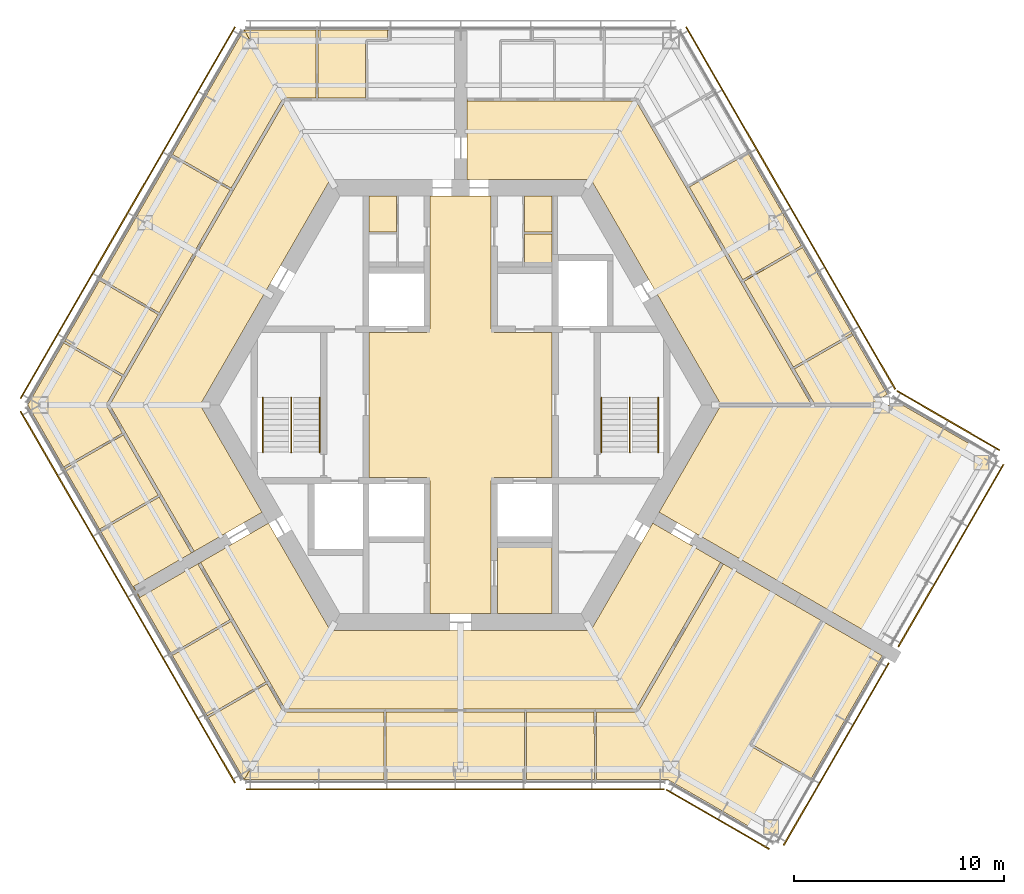
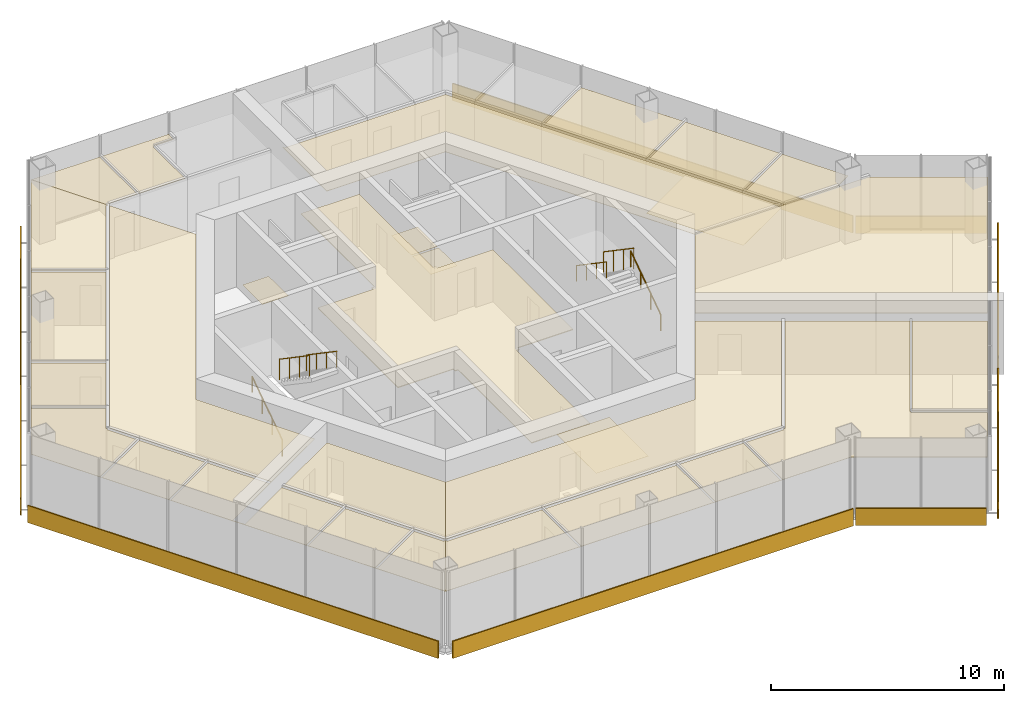
# One storey, part 12 of 13: 30 coverings, 8 shading devices, 6 railings.
"""IFC4 building model written with IfcOpenShell, lengths in metres."""

from ifc_helpers import new_model, si_unit, direction, frame, origin, origin_2d, place, context, subcontext, project, spatial, polyline, rectangle, circle, outline, extrude, material, layer, layer_set, type_object, element, save


model = new_model("IFC4")

# Units and contexts
model_context = context("Model", 3, precision=1e-05, world=origin(), true_north=direction((0.0, 1.0)))
body_context = subcontext(model_context, "Body", "Model", "MODEL_VIEW")
ifc_project = project(units=[si_unit("LENGTHUNIT", "METRE"), si_unit("AREAUNIT", "SQUARE_METRE"), si_unit("VOLUMEUNIT", "CUBIC_METRE"), si_unit("PLANEANGLEUNIT", "RADIAN"), si_unit("MASSUNIT", "GRAM", prefix="KILO")], contexts=[model_context])

# Site, building, storey
site_placement = place(None, origin())
site = spatial("IfcSite", under=ifc_project, at=site_placement, CompositionType="ELEMENT")
building_placement = place(site_placement, origin())
building = spatial("IfcBuilding", under=site, at=building_placement, Name="Kasaneha Research Tower", CompositionType="ELEMENT")
storey_placement = place(building_placement, frame((0.0, 0.0, 294.699951171875)))
storey = spatial("IfcBuildingStorey", under=building, at=storey_placement, Name="L74", CompositionType="ELEMENT", Elevation=294.699951171875)

# Covering
ifc_material_1 = material(Name="Aluminium panel ceiling", Category="aluminium")
ifc_layer_1 = layer(ifc_material_1, 0.0400390625)
ifc_layer_set_1 = layer_set([ifc_layer_1], Name="Lift lobby ceiling 40")
covering_type_1 = type_object("IfcCoveringType", Name="Lift lobby ceiling 40", PredefinedType="CEILING", material=ifc_layer_set_1)
covering_1_placement = place(storey_placement, frame((0.0, 0.0, 2.699951171875)))
element("IfcCovering", 1, at=covering_1_placement, inside=storey, type_object=covering_type_1, Name="Ceiling L74-01", PredefinedType="CEILING", context=body_context, shape_type="SweptSolid", body=[
    extrude(outline(polyline([(1.449951171875, 9.925048828125), (1.449951171875, 3.60009765625), (1.60009765625, 3.60009765625), (1.60009765625, 3.449951171875), (4.35009765625, 3.449951171875), (4.35009765625, -3.449951171875), (1.60009765625, -3.449951171875), (1.60009765625, -3.60009765625), (1.449951171875, -3.60009765625), (1.449951171875, -9.925048828125), (-1.449951171875, -9.925048828125), (-1.449951171875, -3.60009765625), (-1.60009765625, -3.60009765625), (-1.60009765625, -3.449951171875), (-4.35009765625, -3.449951171875), (-4.35009765625, 3.449951171875), (-1.60009765625, 3.449951171875), (-1.60009765625, 3.60009765625), (-1.449951171875, 3.60009765625), (-1.449951171875, 9.925048828125), (1.449951171875, 9.925048828125)])), origin(), (0.0, 0.0, 1.0), 0.0400390625),
])

# Railings
ifc_material_2 = material(Name="Steel", Category="steel")
railing_type_1 = type_object("IfcRailingType", Name="Stair balustrade 1100", PredefinedType="GUARDRAIL", material=ifc_material_2)
for number, where, name in (
    (2, (8.050048828125, 0.35009765625, 2.12744140625), "Stair 1 balustrade L74"),
    (3, (-8.050048828125, 0.35009765625, 2.12744140625), "Stair 2 balustrade L74"),
):
    element("IfcRailing", number, at=place(storey_placement, frame(where)), inside=storey, type_object=railing_type_1, Name=name, PredefinedType="GUARDRAIL", context=body_context, shape_type="SweptSolid", body=[
        extrude(circle(Radius=0.02392578125, at=origin_2d()), frame((0.0, 0.0, 1.076171875), z_axis=(0.0, -0.826240473404, 0.563317565952), x_axis=(1.0, 0.0, 0.0)), (0.0, 0.0, 1.0), 3.14697265625),
        extrude(circle(Radius=0.02099609375, at=origin_2d()), origin(), (0.0, 0.0, 1.0), 1.052001953125),
        extrude(circle(Radius=0.02099609375, at=origin_2d()), frame((0.0, -0.86669921875, 0.5908203125)), (0.0, 0.0, 1.0), 1.052001953125),
        extrude(circle(Radius=0.02099609375, at=origin_2d()), frame((0.0, -1.7333984375, 1.181884765625)), (0.0, 0.0, 1.0), 1.052001953125),
        extrude(circle(Radius=0.02099609375, at=origin_2d()), frame((0.0, -2.60009765625, 1.772705078125)), (0.0, 0.0, 1.0), 1.052001953125),
    ])
ifc_material_3 = material(Name="Steel", Category="steel")
railing_type_2 = type_object("IfcRailingType", Name="Stair handrail 850", PredefinedType="HANDRAIL", material=ifc_material_3)
railing_1_placement = place(storey_placement, frame((9.39990234375, -2.25, 0.17724609375)))
element("IfcRailing", 4, at=railing_1_placement, inside=storey, type_object=railing_type_2, Name="Stair 1 handrail L74", PredefinedType="HANDRAIL", context=body_context, shape_type="SweptSolid", body=[
    extrude(circle(Radius=0.02392578125, at=origin_2d()), frame((0.0, 0.0, 0.826171875), z_axis=(0.0, 0.826240473404, 0.563317565952), x_axis=(-1.0, 0.0, 0.0)), (0.0, 0.0, 1.0), 3.14697265625),
    extrude(circle(Radius=0.02099609375, at=origin_2d()), origin(), (0.0, 0.0, 1.0), 0.802001953125),
    extrude(circle(Radius=0.02099609375, at=origin_2d()), frame((0.0, 0.86669921875, 0.5908203125)), (0.0, 0.0, 1.0), 0.802001953125),
    extrude(circle(Radius=0.02099609375, at=origin_2d()), frame((0.0, 1.7333984375, 1.181884765625)), (0.0, 0.0, 1.0), 0.802001953125),
    extrude(circle(Radius=0.02099609375, at=origin_2d()), frame((0.0, 2.60009765625, 1.772705078125)), (0.0, 0.0, 1.0), 0.802001953125),
])
railing_2_placement = place(storey_placement, frame((6.699951171875, 0.35009765625, 2.12744140625)))
element("IfcRailing", 5, at=railing_2_placement, inside=storey, type_object=railing_type_2, Name="Stair 1 handrail L74", PredefinedType="HANDRAIL", context=body_context, shape_type="SweptSolid", body=[
    extrude(circle(Radius=0.02392578125, at=origin_2d()), frame((0.0, 0.0, 0.826171875), z_axis=(0.0, -0.826240473404, 0.563317565952), x_axis=(1.0, 0.0, 0.0)), (0.0, 0.0, 1.0), 3.14697265625),
    extrude(circle(Radius=0.02099609375, at=origin_2d()), origin(), (0.0, 0.0, 1.0), 0.802001953125),
    extrude(circle(Radius=0.02099609375, at=origin_2d()), frame((0.0, -0.86669921875, 0.5908203125)), (0.0, 0.0, 1.0), 0.802001953125),
    extrude(circle(Radius=0.02099609375, at=origin_2d()), frame((0.0, -1.7333984375, 1.181884765625)), (0.0, 0.0, 1.0), 0.802001953125),
    extrude(circle(Radius=0.02099609375, at=origin_2d()), frame((0.0, -2.60009765625, 1.772705078125)), (0.0, 0.0, 1.0), 0.802001953125),
])
railing_3_placement = place(storey_placement, frame((-9.39990234375, -2.25, 0.17724609375)))
element("IfcRailing", 6, at=railing_3_placement, inside=storey, type_object=railing_type_2, Name="Stair 2 handrail L74", PredefinedType="HANDRAIL", context=body_context, shape_type="SweptSolid", body=[
    extrude(circle(Radius=0.02392578125, at=origin_2d()), frame((0.0, 0.0, 0.826171875), z_axis=(0.0, 0.826240473404, 0.563317565952), x_axis=(-1.0, 0.0, 0.0)), (0.0, 0.0, 1.0), 3.14697265625),
    extrude(circle(Radius=0.02099609375, at=origin_2d()), origin(), (0.0, 0.0, 1.0), 0.802001953125),
    extrude(circle(Radius=0.02099609375, at=origin_2d()), frame((0.0, 0.86669921875, 0.5908203125)), (0.0, 0.0, 1.0), 0.802001953125),
    extrude(circle(Radius=0.02099609375, at=origin_2d()), frame((0.0, 1.7333984375, 1.181884765625)), (0.0, 0.0, 1.0), 0.802001953125),
    extrude(circle(Radius=0.02099609375, at=origin_2d()), frame((0.0, 2.60009765625, 1.772705078125)), (0.0, 0.0, 1.0), 0.802001953125),
])
railing_4_placement = place(storey_placement, frame((-6.699951171875, 0.35009765625, 2.12744140625)))
element("IfcRailing", 7, at=railing_4_placement, inside=storey, type_object=railing_type_2, Name="Stair 2 handrail L74", PredefinedType="HANDRAIL", context=body_context, shape_type="SweptSolid", body=[
    extrude(circle(Radius=0.02392578125, at=origin_2d()), frame((0.0, 0.0, 0.826171875), z_axis=(0.0, -0.826240473404, 0.563317565952), x_axis=(1.0, 0.0, 0.0)), (0.0, 0.0, 1.0), 3.14697265625),
    extrude(circle(Radius=0.02099609375, at=origin_2d()), origin(), (0.0, 0.0, 1.0), 0.802001953125),
    extrude(circle(Radius=0.02099609375, at=origin_2d()), frame((0.0, -0.86669921875, 0.5908203125)), (0.0, 0.0, 1.0), 0.802001953125),
    extrude(circle(Radius=0.02099609375, at=origin_2d()), frame((0.0, -1.7333984375, 1.181884765625)), (0.0, 0.0, 1.0), 0.802001953125),
    extrude(circle(Radius=0.02099609375, at=origin_2d()), frame((0.0, -2.60009765625, 1.772705078125)), (0.0, 0.0, 1.0), 0.802001953125),
])

# Coverings
ifc_material_4 = material(Name="Gypsum ceiling board", Category="gypsum")
ifc_layer_2 = layer(ifc_material_4, 0.02001953125)
ifc_layer_set_2 = layer_set([ifc_layer_2], Name="Suspended ceiling 20")
covering_type_2 = type_object("IfcCoveringType", Name="Suspended ceiling 20", PredefinedType="CEILING", material=ifc_layer_set_2)
covering_2_placement = place(storey_placement, frame((0.0, 0.0, 2.800048828125)))
element("IfcCovering", 8, at=covering_2_placement, inside=storey, type_object=covering_type_2, Name="Ceiling L74-27", PredefinedType="CEILING", context=body_context, shape_type="SweptSolid", body=[
    extrude(outline(polyline([(6.192138671875, 10.72509765625), (0.300048828125, 10.72509765625), (0.300048828125, 11.72509765625), (0.300048828125, 12.72509765625), (0.300048828125, 14.52490234375), (0.320068359375, 14.52490234375), (0.320068359375, 14.449951171875), (1.89501953125, 14.449951171875), (1.905029296875, 14.449951171875), (4.4599609375, 14.449951171875), (4.469970703125, 14.449951171875), (6.825927734375, 14.449951171875), (6.8359375, 14.449951171875), (8.3427734375, 14.449951171875), (9.053955078125, 13.21826171875), (9.053955078125, 13.21826171875), (10.719970703125, 10.332763671875), (10.719970703125, 10.332763671875), (13.316162109375, 5.8359375), (13.316162109375, 5.8359375), (15.720703125, 1.6708984375), (15.720703125, 1.671142578125), (16.685546875, 0.0), (12.38427734375, 0.0), (6.192138671875, 10.72509765625)])), origin(), (0.0, 0.0, 1.0), 0.02001953125),
])
covering_3_placement = place(storey_placement, frame((0.0, 0.0, 2.800048828125)))
element("IfcCovering", 9, at=covering_3_placement, inside=storey, type_object=covering_type_2, Name="Ceiling L74-29", PredefinedType="CEILING", context=body_context, shape_type="SweptSolid", body=[
    extrude(outline(polyline([(16.232177734375, 7.525146484375), (13.640869140625, 12.013427734375), (13.623779296875, 12.003662109375), (13.623291015625, 12.00439453125), (13.640869140625, 12.0146484375), (18.637451171875, 3.36083984375), (18.61962890625, 3.350830078125), (18.5947265625, 3.39404296875), (15.820556640625, 1.7978515625), (13.470947265625, 5.86767578125), (16.2490234375, 7.477294921875), (16.223876953125, 7.5205078125), (16.232177734375, 7.525146484375)])), origin(), (0.0, 0.0, 1.0), 0.02001953125),
])
covering_4_placement = place(storey_placement, frame((0.0, 0.0, 2.800048828125)))
element("IfcCovering", 10, at=covering_4_placement, inside=storey, type_object=covering_type_2, Name="Ceiling L74-33", PredefinedType="CEILING", context=body_context, shape_type="SweptSolid", body=[
    extrude(outline(polyline([(19.41845703125, 0.0), (16.77197265625, 0.0), (16.760498046875, 0.02001953125), (16.825439453125, 0.0576171875), (15.87060546875, 1.711181640625), (18.64453125, 3.307373046875), (18.619873046875, 3.3505859375), (18.63720703125, 3.360595703125), (20.28759765625, 0.501708984375), (19.41845703125, 0.0)])), origin(), (0.0, 0.0, 1.0), 0.02001953125),
])
covering_5_placement = place(storey_placement, frame((0.0, 0.0, 2.800048828125)))
element("IfcCovering", 11, at=covering_5_placement, inside=storey, type_object=covering_type_2, Name="Ceiling L74-35", PredefinedType="CEILING", context=body_context, shape_type="SweptSolid", body=[
    extrude(outline(polyline([(16.232177734375, 7.525146484375), (16.223876953125, 7.5205078125), (16.19873046875, 7.563720703125), (13.4208984375, 5.954345703125), (10.874755859375, 10.3642578125), (13.6484375, 11.961181640625), (13.623779296875, 12.003662109375), (13.640869140625, 12.013427734375), (16.232177734375, 7.525146484375)])), origin(), (0.0, 0.0, 1.0), 0.02001953125),
])
covering_6_placement = place(storey_placement, frame((0.0, 0.0, 2.800048828125)))
element("IfcCovering", 12, at=covering_6_placement, inside=storey, type_object=covering_type_2, Name="Ceiling L74-38", PredefinedType="CEILING", context=body_context, shape_type="SweptSolid", body=[
    extrude(outline(polyline([(-3.41552734375, 17.800537109375), (-3.465087890625, 17.800537109375), (-3.465087890625, 17.375), (-4.465087890625, 17.375), (-4.465087890625, 17.324951171875), (-4.514892578125, 17.324951171875), (-4.510009765625, 14.60009765625), (-6.776611328125, 14.60009765625), (-6.781005859375, 17.800537109375), (-6.8310546875, 17.800537109375), (-6.8310546875, 17.820556640625), (-3.41552734375, 17.820556640625), (-3.41552734375, 17.800537109375)])), origin(), (0.0, 0.0, 1.0), 0.02001953125),
])
covering_7_placement = place(storey_placement, frame((0.0, 0.0, 2.800048828125)))
element("IfcCovering", 13, at=covering_7_placement, inside=storey, type_object=covering_type_2, Name="Ceiling L74-39", PredefinedType="CEILING", context=body_context, shape_type="SweptSolid", body=[
    extrude(outline(polyline([(-6.83154296875, 17.800537109375), (-6.880859375, 17.800537109375), (-6.876708984375, 14.60009765625), (-8.36279296875, 14.60009765625), (-8.36279296875, 14.525390625), (-8.38623046875, 14.525390625), (-10.28857421875, 17.820556640625), (-6.83154296875, 17.820556640625), (-6.83154296875, 17.800537109375)])), origin(), (0.0, 0.0, 1.0), 0.02001953125),
])
covering_8_placement = place(storey_placement, frame((0.0, 0.0, 2.800048828125)))
element("IfcCovering", 14, at=covering_8_placement, inside=storey, type_object=covering_type_2, Name="Ceiling L74-40", PredefinedType="CEILING", context=body_context, shape_type="SweptSolid", body=[
    extrude(outline(polyline([(-12.38427734375, 0.0), (-9.438232421875, -5.102783203125), (-10.30419921875, -5.602783203125), (-10.30419921875, -5.602783203125), (-11.170166015625, -6.102783203125), (-11.170166015625, -6.102783203125), (-12.72900390625, -7.002685546875), (-12.739013671875, -6.9853515625), (-12.674072265625, -6.947998046875), (-14.219482421875, -4.271484375), (-14.21923828125, -4.271484375), (-15.93212890625, -1.304931640625), (-15.93212890625, -1.304931640625), (-16.685302734375, 0.0), (-15.93212890625, 1.304931640625), (-15.93212890625, 1.304931640625), (-14.22412109375, 4.26318359375), (-14.22412109375, 4.26318359375), (-10.803955078125, 10.186767578125), (-10.80419921875, 10.186767578125), (-8.3427734375, 14.449951171875), (-8.3427734375, 14.449951171875), (-6.192138671875, 10.72509765625), (-12.38427734375, 0.0)])), origin(), (0.0, 0.0, 1.0), 0.02001953125),
])
covering_9_placement = place(storey_placement, frame((0.0, 0.0, 2.800048828125)))
element("IfcCovering", 15, at=covering_9_placement, inside=storey, type_object=covering_type_2, Name="Ceiling L74-41", PredefinedType="CEILING", context=body_context, shape_type="SweptSolid", body=[
    extrude(outline(polyline([(-12.027587890625, 14.83251953125), (-10.299072265625, 17.826416015625), (-10.291748046875, 17.83203125), (-10.282470703125, 17.830810546875), (-8.3759765625, 14.531494140625), (-8.374267578125, 14.524658203125), (-8.379150390625, 14.513916015625), (-8.386474609375, 14.525146484375), (-8.39794921875, 14.505126953125), (-8.462646484375, 14.54248046875), (-10.908935546875, 10.304931640625), (-13.691650390625, 11.906494140625), (-13.716552734375, 11.86328125), (-13.725341796875, 11.8681640625), (-12.023193359375, 14.816162109375), (-12.02880859375, 14.822998046875), (-12.027587890625, 14.83251953125)])), origin(), (0.0, 0.0, 1.0), 0.02001953125),
])
covering_10_placement = place(storey_placement, frame((0.0, 0.0, 2.800048828125)))
element("IfcCovering", 16, at=covering_10_placement, inside=storey, type_object=covering_type_2, Name="Ceiling L74-42", PredefinedType="CEILING", context=body_context, shape_type="SweptSolid", body=[
    extrude(outline(polyline([(-17.12353515625, 5.9423828125), (-17.1484375, 5.899169921875), (-14.37890625, 4.294921875), (-16.0322265625, 1.431396484375), (-18.81494140625, 3.032958984375), (-18.83984375, 2.989501953125), (-18.848388671875, 2.994384765625), (-17.140869140625, 5.952392578125), (-17.12353515625, 5.9423828125)])), origin(), (0.0, 0.0, 1.0), 0.02001953125),
])
covering_11_placement = place(storey_placement, frame((0.0, 0.0, 2.800048828125)))
element("IfcCovering", 17, at=covering_11_placement, inside=storey, type_object=covering_type_2, Name="Ceiling L74-43", PredefinedType="CEILING", context=body_context, shape_type="SweptSolid", body=[
    extrude(outline(polyline([(-18.83984375, -2.989501953125), (-18.81494140625, -3.032958984375), (-16.0322265625, -1.431396484375), (-14.379150390625, -4.294677734375), (-17.1484375, -5.899169921875), (-17.12353515625, -5.9423828125), (-17.140869140625, -5.952392578125), (-18.848388671875, -2.994384765625), (-18.83984375, -2.989501953125)])), origin(), (0.0, 0.0, 1.0), 0.02001953125),
])
covering_12_placement = place(storey_placement, frame((0.0, 0.0, 2.800048828125)))
element("IfcCovering", 18, at=covering_12_placement, inside=storey, type_object=covering_type_2, Name="Ceiling L74-44", PredefinedType="CEILING", context=body_context, shape_type="SweptSolid", body=[
    extrude(outline(polyline([(-15.539794921875, -8.62548828125), (-15.539794921875, -8.62548828125), (-15.3896484375, -8.88525390625), (-15.43310546875, -8.91015625), (-17.140869140625, -5.952392578125), (-17.12353515625, -5.9423828125), (-17.098388671875, -5.985595703125), (-14.3291015625, -4.381103515625), (-12.803955078125, -7.02294921875), (-12.739013671875, -6.9853515625), (-12.72900390625, -7.002685546875), (-15.539794921875, -8.62548828125), (-15.539794921875, -8.62548828125)])), origin(), (0.0, 0.0, 1.0), 0.02001953125),
])
covering_13_placement = place(storey_placement, frame((0.0, 0.0, 2.800048828125)))
element("IfcCovering", 19, at=covering_13_placement, inside=storey, type_object=covering_type_2, Name="Ceiling L74-45", PredefinedType="CEILING", context=body_context, shape_type="SweptSolid", body=[
    extrude(outline(polyline([(-17.140380859375, 5.952880859375), (-13.7255859375, 11.86767578125), (-13.716796875, 11.86279296875), (-13.74169921875, 11.81982421875), (-10.958984375, 10.218505859375), (-14.328857421875, 4.381591796875), (-17.098388671875, 5.985595703125), (-17.123291015625, 5.94287109375), (-17.140380859375, 5.952880859375)])), origin(), (0.0, 0.0, 1.0), 0.02001953125),
])
covering_14_placement = place(storey_placement, frame((0.0, 0.0, 2.800048828125)))
element("IfcCovering", 20, at=covering_14_placement, inside=storey, type_object=covering_type_2, Name="Ceiling L74-46", PredefinedType="CEILING", context=body_context, shape_type="SweptSolid", body=[
    extrude(outline(polyline([(-18.840087890625, 2.989013671875), (-18.86474609375, 2.946044921875), (-16.082275390625, 1.3447265625), (-16.8369140625, 0.03759765625), (-16.7724609375, 0.000244140625), (-16.7724609375, 0.0), (-16.7724609375, -0.000244140625), (-16.8369140625, -0.03759765625), (-16.082275390625, -1.3447265625), (-18.86474609375, -2.946044921875), (-18.840087890625, -2.989013671875), (-18.8486328125, -2.994140625), (-20.577392578125, 0.0), (-18.8486328125, 2.994140625), (-18.840087890625, 2.989013671875)])), origin(), (0.0, 0.0, 1.0), 0.02001953125),
])
covering_15_placement = place(storey_placement, frame((0.0, 0.0, 2.800048828125)))
element("IfcCovering", 21, at=covering_15_placement, inside=storey, type_object=covering_type_2, Name="Ceiling L74-47", PredefinedType="CEILING", context=body_context, shape_type="SweptSolid", body=[
    extrude(outline(polyline([(-10.8701171875, -6.622314453125), (-10.004150390625, -6.122314453125), (-10.004150390625, -6.122314453125), (-9.13818359375, -5.622314453125), (-6.192138671875, -10.72509765625), (-8.3427734375, -14.449951171875), (-8.3427734375, -14.449951171875), (-9.09619140625, -13.14501953125), (-9.095947265625, -13.14501953125), (-10.803955078125, -10.187255859375), (-10.803955078125, -10.187255859375), (-12.35400390625, -7.502197265625), (-12.4189453125, -7.53955078125), (-12.428955078125, -7.522216796875), (-10.8701171875, -6.622314453125), (-10.8701171875, -6.622314453125)])), origin(), (0.0, 0.0, 1.0), 0.02001953125),
])
covering_16_placement = place(storey_placement, frame((0.0, 0.0, 2.800048828125)))
element("IfcCovering", 22, at=covering_16_placement, inside=storey, type_object=covering_type_2, Name="Ceiling L74-48", PredefinedType="CEILING", context=body_context, shape_type="SweptSolid", body=[
    extrude(outline(polyline([(-15.3896484375, -8.88525390625), (-15.23974609375, -9.14501953125), (-15.23974609375, -9.14501953125), (-15.23974609375, -9.14501953125), (-12.425048828125, -7.52001953125), (-12.428955078125, -7.522216796875), (-12.4189453125, -7.53955078125), (-12.48388671875, -7.5771484375), (-10.963623046875, -10.21044921875), (-13.74169921875, -11.81982421875), (-13.716552734375, -11.86328125), (-13.725341796875, -11.8681640625), (-15.43310546875, -8.91015625), (-15.3896484375, -8.88525390625)])), origin(), (0.0, 0.0, 1.0), 0.02001953125),
])
covering_17_placement = place(storey_placement, frame((0.0, 0.0, 2.800048828125)))
element("IfcCovering", 23, at=covering_17_placement, inside=storey, type_object=covering_type_2, Name="Ceiling L74-49", PredefinedType="CEILING", context=body_context, shape_type="SweptSolid", body=[
    extrude(outline(polyline([(-13.716552734375, -11.86328125), (-13.691650390625, -11.90625), (-10.913818359375, -10.297119140625), (-9.255615234375, -13.168701171875), (-12.025146484375, -14.772705078125), (-12.000244140625, -14.81591796875), (-12.017578125, -14.825927734375), (-13.725341796875, -11.8681640625), (-13.716552734375, -11.86328125)])), origin(), (0.0, 0.0, 1.0), 0.02001953125),
])
covering_18_placement = place(storey_placement, frame((0.0, 0.0, 2.800048828125)))
element("IfcCovering", 24, at=covering_18_placement, inside=storey, type_object=covering_type_2, Name="Ceiling L74-50", PredefinedType="CEILING", context=body_context, shape_type="SweptSolid", body=[
    extrude(outline(polyline([(-12.0, -14.81640625), (-11.97509765625, -14.859375), (-9.205810546875, -13.25537109375), (-8.462646484375, -14.54248046875), (-8.39794921875, -14.505126953125), (-8.38623046875, -14.525390625), (-10.28857421875, -17.820556640625), (-12.017333984375, -14.826416015625), (-12.0, -14.81640625)])), origin(), (0.0, 0.0, 1.0), 0.02001953125),
])
covering_19_placement = place(storey_placement, frame((0.0, 0.0, 2.800048828125)))
element("IfcCovering", 25, at=covering_19_placement, inside=storey, type_object=covering_type_2, Name="Ceiling L74-51", PredefinedType="CEILING", context=body_context, shape_type="SweptSolid", body=[
    extrude(outline(polyline([(11.170166015625, -6.102783203125), (10.30419921875, -5.602783203125), (10.227783203125, -5.55859375), (9.438232421875, -5.102783203125), (12.38427734375, 0.0), (16.685546875, 0.0), (16.695556640625, -0.017578125), (16.725830078125, 0.0), (21.0, 0.0), (25.446044921875, -2.56689453125), (20.34619140625, -11.400390625), (12.1259765625, -6.654541015625), (11.170166015625, -6.102783203125)])), origin(), (0.0, 0.0, 1.0), 0.02001953125),
])
covering_20_placement = place(storey_placement, frame((0.0, 0.0, 2.800048828125)))
element("IfcCovering", 26, at=covering_20_placement, inside=storey, type_object=covering_type_2, Name="Ceiling L74-52", PredefinedType="CEILING", context=body_context, shape_type="SweptSolid", body=[
    extrude(outline(polyline([(-6.192138671875, -10.72509765625), (6.192138671875, -10.72509765625), (9.13818359375, -5.622314453125), (10.004150390625, -6.122314453125), (10.004150390625, -6.122314453125), (10.8701171875, -6.622314453125), (10.8701171875, -6.622314453125), (12.428955078125, -7.522216796875), (12.4189453125, -7.53955078125), (12.35400390625, -7.502197265625), (8.3427734375, -14.449951171875), (6.413330078125, -14.449951171875), (6.40380859375, -14.449951171875), (3.081787109375, -14.449951171875), (3.072509765625, -14.449951171875), (-3.57958984375, -14.449951171875), (-3.589111328125, -14.449951171875), (-8.3427734375, -14.449951171875), (-6.192138671875, -10.72509765625)])), origin(), (0.0, 0.0, 1.0), 0.02001953125),
])
covering_21_placement = place(storey_placement, frame((0.0, 0.0, 2.800048828125)))
element("IfcCovering", 27, at=covering_21_placement, inside=storey, type_object=covering_type_2, Name="Ceiling L74-53", PredefinedType="CEILING", context=body_context, shape_type="SweptSolid", body=[
    extrude(outline(polyline([(-8.38671875, -14.525146484375), (-8.36279296875, -14.525146484375), (-8.36279296875, -14.60009765625), (-3.638916015625, -14.60009765625), (-3.634521484375, -17.800537109375), (-3.58447265625, -17.800537109375), (-3.58447265625, -17.820556640625), (-10.2890625, -17.82080078125), (-8.38671875, -14.525146484375)])), origin(), (0.0, 0.0, 1.0), 0.02001953125),
])
covering_22_placement = place(storey_placement, frame((0.0, 0.0, 2.800048828125)))
element("IfcCovering", 28, at=covering_22_placement, inside=storey, type_object=covering_type_2, Name="Ceiling L74-54", PredefinedType="CEILING", context=body_context, shape_type="SweptSolid", body=[
    extrude(outline(polyline([(3.077392578125, -17.800537109375), (3.12744140625, -17.800537109375), (3.131591796875, -14.60009765625), (6.35400390625, -14.60009765625), (6.3583984375, -17.800537109375), (6.408203125, -17.800537109375), (6.408203125, -17.820556640625), (3.077392578125, -17.820556640625), (3.077392578125, -17.800537109375)])), origin(), (0.0, 0.0, 1.0), 0.02001953125),
])
covering_23_placement = place(storey_placement, frame((0.0, 0.0, 2.800048828125)))
element("IfcCovering", 29, at=covering_23_placement, inside=storey, type_object=covering_type_2, Name="Ceiling L74-55", PredefinedType="CEILING", context=body_context, shape_type="SweptSolid", body=[
    extrude(outline(polyline([(16.646240234375, -17.80908203125), (16.62890625, -17.799072265625), (16.65380859375, -17.755615234375), (13.856689453125, -16.140625), (17.2216796875, -10.3125), (17.17822265625, -10.287353515625), (17.188232421875, -10.27001953125), (20.046142578125, -11.920166015625), (16.646240234375, -17.80908203125)])), origin(), (0.0, 0.0, 1.0), 0.02001953125),
])
covering_24_placement = place(storey_placement, frame((0.0, 0.0, 2.800048828125)))
element("IfcCovering", 30, at=covering_24_placement, inside=storey, type_object=covering_type_2, Name="Ceiling L74-56", PredefinedType="CEILING", context=body_context, shape_type="SweptSolid", body=[
    extrude(outline(polyline([(13.788330078125, -16.1591796875), (13.76318359375, -16.202392578125), (16.603759765625, -17.84228515625), (16.62841796875, -17.799560546875), (16.64599609375, -17.8095703125), (14.946044921875, -20.75341796875), (9.865966796875, -17.820556640625), (6.40869140625, -17.820556640625), (6.40869140625, -17.800537109375), (6.458251953125, -17.800537109375), (6.453857421875, -14.60009765625), (8.385986328125, -14.60009765625), (8.385986328125, -14.525390625), (8.386474609375, -14.525390625), (8.386474609375, -14.525146484375), (8.450927734375, -14.5625), (12.48388671875, -7.5771484375), (12.41943359375, -7.539794921875), (12.429443359375, -7.5224609375), (17.187744140625, -10.269775390625), (17.177734375, -10.287109375), (17.135009765625, -10.262451171875), (13.7451171875, -16.134033203125), (13.787841796875, -16.15869140625), (13.787841796875, -16.158935546875), (13.788330078125, -16.1591796875)])), origin(), (0.0, 0.0, 1.0), 0.02001953125),
])
covering_25_placement = place(storey_placement, frame((0.0, 0.0, 2.800048828125)))
element("IfcCovering", 31, at=covering_25_placement, inside=storey, type_object=covering_type_2, Name="Ceiling L74-57", PredefinedType="CEILING", context=body_context, shape_type="SweptSolid", body=[
    extrude(outline(polyline([(3.076904296875, -17.820556640625), (-3.583984375, -17.820556640625), (-3.583984375, -17.800537109375), (-3.534423828125, -17.800537109375), (-3.538818359375, -14.60009765625), (3.03173828125, -14.60009765625), (3.02734375, -17.800537109375), (3.076904296875, -17.800537109375), (3.076904296875, -17.820556640625)])), origin(), (0.0, 0.0, 1.0), 0.02001953125),
])

# Shading devices
ifc_material_5 = material(Name="Terracotta", Category="masonry")
ifc_layer_3 = layer(ifc_material_5, 0.06005859375)
ifc_layer_set_3 = layer_set([ifc_layer_3], Name="Terracotta baguette screen")
shading_device_type = type_object("IfcShadingDeviceType", Name="Terracotta baguette screen", PredefinedType="USERDEFINED", material=ifc_layer_set_3)
shading_device_1_placement = place(storey_placement, frame((15.696044921875, 9.35498046875, -0.449951171875), z_axis=(0.0, 0.0, 1.0), x_axis=(-0.499999979232, 0.866025415775, 0.0)))
element("IfcShadingDevice", 32, at=shading_device_1_placement, inside=storey, type_object=shading_device_type, Name="Baguette screen L74 01", ObjectType="TERRACOTTA BAGUETTE SCREEN", PredefinedType="USERDEFINED", context=body_context, shape_type="SweptSolid", body=[
    extrude(rectangle(XDim=19.8857421875, YDim=0.06005859375, at=origin_2d()), origin(), (0.0, 0.0, 1.0), 0.89990234375),
])
for number, where, z_axis, x_axis, name in (
    (33, (-15.82275390625, 9.13525390625, -0.449951171875), (0.0, 0.0, 1.0), (-0.499999995722, -0.866025406254, 0.0), "Baguette screen L74 03"),
    (34, (-15.82275390625, -9.13525390625, -0.449951171875), (0.0, 0.0, 1.0), (0.499999995722, -0.866025406254, 0.0), "Baguette screen L74 04"),
):
    element("IfcShadingDevice", number, at=place(storey_placement, frame(where, z_axis=z_axis, x_axis=x_axis)), inside=storey, type_object=shading_device_type, Name=name, ObjectType="TERRACOTTA BAGUETTE SCREEN", PredefinedType="USERDEFINED", context=body_context, shape_type="SweptSolid", body=[
        extrude(rectangle(XDim=20.392822265625, YDim=0.06005859375, at=origin_2d()), origin(), (0.0, 0.0, 1.0), 0.89990234375),
    ])
shading_device_2_placement = place(storey_placement, frame((-0.253662109375, -18.2705078125, -0.449951171875), z_axis=(0.0, 0.0, 1.0), x_axis=(1.0, 0.0, 0.0)))
element("IfcShadingDevice", 35, at=shading_device_2_placement, inside=storey, type_object=shading_device_type, Name="Baguette screen L74 05", ObjectType="TERRACOTTA BAGUETTE SCREEN", PredefinedType="USERDEFINED", context=body_context, shape_type="SweptSolid", body=[
    extrude(rectangle(XDim=19.8857421875, YDim=0.06005859375, at=origin_2d()), origin(), (0.0, 0.0, 1.0), 0.89990234375),
])
shading_device_3_placement = place(storey_placement, frame((12.236083984375, -19.70849609375, -0.449951171875), z_axis=(0.0, 0.0, 1.0), x_axis=(0.866025443395, -0.499999931393, 0.0)))
element("IfcShadingDevice", 36, at=shading_device_3_placement, inside=storey, type_object=shading_device_type, Name="Baguette screen L74 06", ObjectType="TERRACOTTA BAGUETTE SCREEN", PredefinedType="USERDEFINED", context=body_context, shape_type="SweptSolid", body=[
    extrude(rectangle(XDim=5.63916015625, YDim=0.06005859375, at=origin_2d()), origin(), (0.0, 0.0, 1.0), 0.89990234375),
])
for number, where, z_axis, x_axis, name in (
    (37, (17.86083984375, -16.60498046875, -0.449951171875), (0.0, 0.0, 1.0), (0.500000011442, 0.866025397178, 0.0), "Baguette screen L74 07"),
    (38, (23.310791015625, -7.16552734375, -0.449951171875), (0.0, 0.0, 1.0), (0.500000011442, 0.866025397178, 0.0), "Baguette screen L74 08"),
):
    element("IfcShadingDevice", number, at=place(storey_placement, frame(where, z_axis=z_axis, x_axis=x_axis)), inside=storey, type_object=shading_device_type, Name=name, ObjectType="TERRACOTTA BAGUETTE SCREEN", PredefinedType="USERDEFINED", context=body_context, shape_type="SweptSolid", body=[
        extrude(rectangle(XDim=10.0, YDim=0.06005859375, at=origin_2d()), origin(), (0.0, 0.0, 1.0), 0.89990234375),
    ])
shading_device_4_placement = place(storey_placement, frame((23.18603515625, -0.742431640625, -0.449951171875), z_axis=(0.0, 0.0, 1.0), x_axis=(-0.866025443395, 0.499999931393, 0.0)))
element("IfcShadingDevice", 39, at=shading_device_4_placement, inside=storey, type_object=shading_device_type, Name="Baguette screen L74 09", ObjectType="TERRACOTTA BAGUETTE SCREEN", PredefinedType="USERDEFINED", context=body_context, shape_type="SweptSolid", body=[
    extrude(rectangle(XDim=5.63916015625, YDim=0.06005859375, at=origin_2d()), origin(), (0.0, 0.0, 1.0), 0.89990234375),
])

# Coverings
ifc_material_6 = material(Name="Vinyl sheet flooring", Category="plastic")
ifc_layer_4 = layer(ifc_material_6, 0.0048828125)
ifc_layer_set_4 = layer_set([ifc_layer_4], Name="Wet room sheet flooring 5")
covering_type_3 = type_object("IfcCoveringType", Name="Wet room sheet flooring 5", PredefinedType="FLOORING", material=ifc_layer_set_4)
covering_26_placement = place(storey_placement, origin())
element("IfcCovering", 40, at=covering_26_placement, inside=storey, type_object=covering_type_3, Name="Floor finish L74-07", PredefinedType="FLOORING", context=body_context, shape_type="SweptSolid", body=[
    extrude(outline(polyline([(-4.35009765625, 8.22509765625), (-4.35009765625, 9.925048828125), (-3.050048828125, 9.925048828125), (-3.050048828125, 8.22509765625), (-4.35009765625, 8.22509765625)])), origin(), (0.0, 0.0, 1.0), 0.005126953125),
])
covering_27_placement = place(storey_placement, origin())
element("IfcCovering", 41, at=covering_27_placement, inside=storey, type_object=covering_type_3, Name="Floor finish L74-10", PredefinedType="FLOORING", context=body_context, shape_type="SweptSolid", body=[
    extrude(outline(polyline([(4.35009765625, 8.22509765625), (3.050048828125, 8.22509765625), (3.050048828125, 9.925048828125), (4.35009765625, 9.925048828125), (4.35009765625, 8.22509765625)])), origin(), (0.0, 0.0, 1.0), 0.005126953125),
])
covering_28_placement = place(storey_placement, origin())
element("IfcCovering", 42, at=covering_28_placement, inside=storey, type_object=covering_type_3, Name="Floor finish L74-11", PredefinedType="FLOORING", context=body_context, shape_type="SweptSolid", body=[
    extrude(outline(polyline([(3.050048828125, 6.550048828125), (3.050048828125, 8.125), (4.35009765625, 8.125), (4.35009765625, 7.0), (4.35009765625, 6.550048828125), (3.050048828125, 6.550048828125)])), origin(), (0.0, 0.0, 1.0), 0.005126953125),
])
covering_29_placement = place(storey_placement, origin())
element("IfcCovering", 43, at=covering_29_placement, inside=storey, type_object=covering_type_3, Name="Floor finish L74-13", PredefinedType="FLOORING", context=body_context, shape_type="SweptSolid", body=[
    extrude(outline(polyline([(1.75, -9.925048828125), (1.75, -6.550048828125), (4.35009765625, -6.550048828125), (4.35009765625, -9.925048828125), (1.75, -9.925048828125)])), origin(), (0.0, 0.0, 1.0), 0.005126953125),
])
covering_30_placement = place(storey_placement, origin())
element("IfcCovering", 44, at=covering_30_placement, inside=storey, type_object=covering_type_3, Name="Floor finish L74-29", PredefinedType="FLOORING", context=body_context, shape_type="SweptSolid", body=[
    extrude(outline(polyline([(15.783447265625, 1.712890625), (13.378662109375, 5.877685546875), (16.232177734375, 7.525146484375), (13.640869140625, 12.013427734375), (10.786865234375, 10.366455078125), (13.640869140625, 12.0146484375), (18.637451171875, 3.36083984375), (15.783447265625, 1.712890625)])), origin(), (0.0, 0.0, 1.0), 0.005126953125),
])

save(model, "model.ifc")
